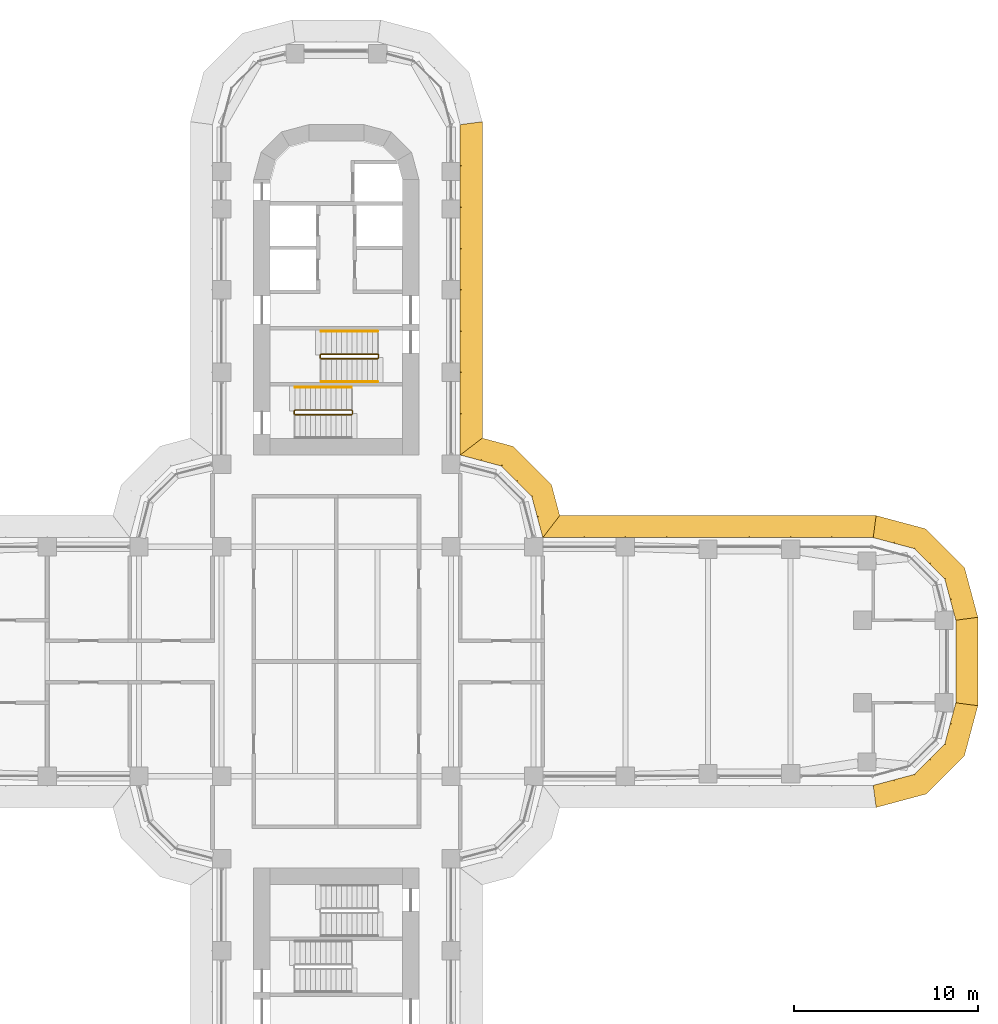
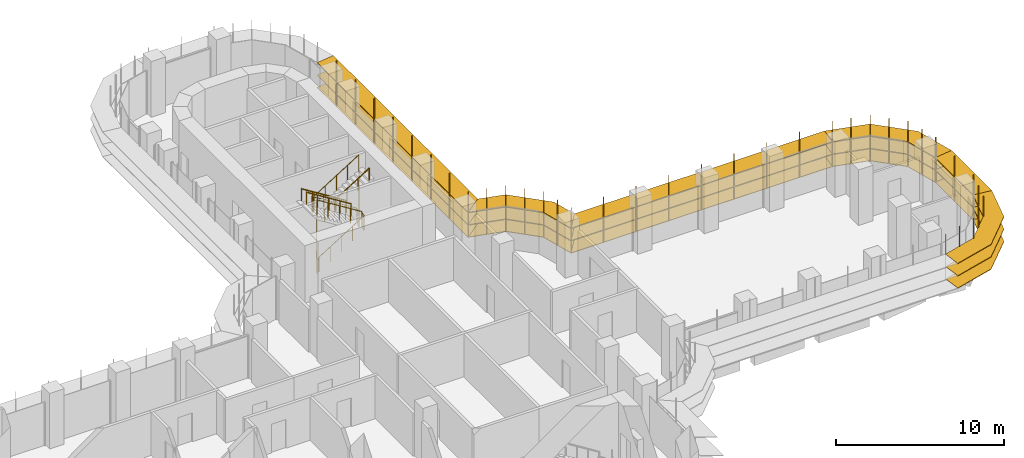
# One storey, part 22 of 23: 6 shading devices, 5 railings.
"""IFC4 building model written with IfcOpenShell, lengths in metres."""

from ifc_helpers import new_model, si_unit, direction, frame, origin, origin_2d, place, context, subcontext, project, spatial, polyline, circle, outline, extrude, faceted_brep, source, transform, mapped, material, type_object, element, save


model = new_model("IFC4")

# Units and contexts
model_context = context("Model", 3, precision=1e-05, world=origin(), true_north=direction((0.0, 1.0)))
body_context = subcontext(model_context, "Body", "Model", "MODEL_VIEW")
ifc_project = project(units=[si_unit("LENGTHUNIT", "METRE"), si_unit("AREAUNIT", "SQUARE_METRE"), si_unit("VOLUMEUNIT", "CUBIC_METRE"), si_unit("PLANEANGLEUNIT", "RADIAN"), si_unit("MASSUNIT", "GRAM", prefix="KILO")], contexts=[model_context])

# Site, building, storey
site_placement = place(None, origin())
site = spatial("IfcSite", under=ifc_project, at=site_placement, CompositionType="ELEMENT")
building_placement = place(site_placement, origin())
building = spatial("IfcBuilding", under=site, at=building_placement, Name="Zarbagh Exchange Tower", CompositionType="ELEMENT")
storey_placement = place(building_placement, frame((0.0, 0.0, 64.800048828125)))
storey = spatial("IfcBuildingStorey", under=building, at=storey_placement, Name="L14", CompositionType="ELEMENT", Elevation=64.800048828125)

# Railings
ifc_material_1 = material(Name="Stainless steel", Category="steel")
railing_type_1 = type_object("IfcRailingType", Name="Stair guard 1100 mm", PredefinedType="GUARDRAIL", material=ifc_material_1)
railing_1_placement = place(storey_placement, frame((-0.830078125, 16.5, 2.27490234375)))
element("IfcRailing", 1, at=railing_1_placement, inside=storey, type_object=railing_type_1, Name="ST1 stair guard 1", PredefinedType="GUARDRAIL", context=body_context, shape_type="SweptSolid", body=[
    extrude(circle(Radius=0.02392578125, at=origin_2d()), frame((0.0, 0.0, 1.076171875), z_axis=(0.847998304005, 0.0, 0.529998940003), x_axis=(0.0, 1.0, 0.0)), (0.0, 0.0, 1.0), 3.632080078125),
    extrude(circle(Radius=0.02392578125, at=origin_2d()), frame((3.080078125, 0.0, 3.0009765625), z_axis=(0.011914834358, 0.011914834358, -0.999858026644), x_axis=(-0.707106781187, 0.707106781187, 0.0)), (0.0, 0.0, 1.0), 4.200439453125),
    extrude(circle(Radius=0.02392578125, at=origin_2d()), frame((3.130126953125, 0.050048828125, -1.19873046875), z_axis=(0.0, 1.0, 0.0), x_axis=(-1.0, 0.0, 0.0)), (0.0, 0.0, 1.0), 0.14990234375),
    extrude(circle(Radius=0.02392578125, at=origin_2d()), frame((3.130126953125, 0.199951171875, -1.19873046875), z_axis=(-0.265065253269, 0.265065253269, 0.927081885822), x_axis=(-0.707106781187, -0.707106781187, 0.0)), (0.0, 0.0, 1.0), 0.188720703125),
    extrude(circle(Radius=0.02392578125, at=origin_2d()), frame((3.080078125, 0.25, -1.02392578125), z_axis=(-0.848028513186, 0.0, 0.529950602248), x_axis=(0.0, -1.0, 0.0)), (0.0, 0.0, 1.0), 3.632080078125),
    extrude(circle(Radius=0.02392578125, at=origin_2d()), frame((0.0, 0.25, 0.90087890625), z_axis=(-0.705375805398, -0.708833529934, 0.0), x_axis=(0.708833529934, -0.705375805398, 0.0)), (0.0, 0.0, 1.0), 0.070556640625),
    extrude(circle(Radius=0.02392578125, at=origin_2d()), frame((-0.0498046875, 0.199951171875, 0.90087890625), z_axis=(0.0, -1.0, 0.0), x_axis=(1.0, 0.0, 0.0)), (0.0, 0.0, 1.0), 0.14990234375),
    extrude(circle(Radius=0.02099609375, at=origin_2d()), origin(), (0.0, 0.0, 1.0), 1.052001953125),
    extrude(circle(Radius=0.02099609375, at=origin_2d()), frame((0.77001953125, 0.0, 0.481201171875)), (0.0, 0.0, 1.0), 1.052001953125),
    extrude(circle(Radius=0.02099609375, at=origin_2d()), frame((1.5400390625, 0.0, 0.96240234375)), (0.0, 0.0, 1.0), 1.052001953125),
    extrude(circle(Radius=0.02099609375, at=origin_2d()), frame((2.31005859375, 0.0, 1.44384765625)), (0.0, 0.0, 1.0), 1.052001953125),
    extrude(circle(Radius=0.02099609375, at=origin_2d()), frame((3.080078125, 0.0, 1.925048828125)), (0.0, 0.0, 1.0), 1.052001953125),
    extrude(circle(Radius=0.02099609375, at=origin_2d()), frame((3.092529296875, 0.012451171875, 0.875)), (0.0, 0.0, 1.0), 1.052001953125),
    extrude(circle(Radius=0.02099609375, at=origin_2d()), frame((3.10498046875, 0.02490234375, -0.1748046875)), (0.0, 0.0, 1.0), 1.052001953125),
    extrude(circle(Radius=0.02099609375, at=origin_2d()), frame((3.11767578125, 0.03759765625, -1.224853515625)), (0.0, 0.0, 1.0), 1.052001953125),
    extrude(circle(Radius=0.02099609375, at=origin_2d()), frame((3.130126953125, 0.050048828125, -2.27490234375)), (0.0, 0.0, 1.0), 1.052001953125),
    extrude(circle(Radius=0.02099609375, at=origin_2d()), frame((3.130126953125, 0.199951171875, -2.27490234375)), (0.0, 0.0, 1.0), 1.052001953125),
    extrude(circle(Radius=0.02099609375, at=origin_2d()), frame((3.080078125, 0.25, -2.099853515625)), (0.0, 0.0, 1.0), 1.052001953125),
    extrude(circle(Radius=0.02099609375, at=origin_2d()), frame((2.31005859375, 0.25, -1.61865234375)), (0.0, 0.0, 1.0), 1.052001953125),
    extrude(circle(Radius=0.02099609375, at=origin_2d()), frame((1.5400390625, 0.25, -1.137451171875)), (0.0, 0.0, 1.0), 1.052001953125),
    extrude(circle(Radius=0.02099609375, at=origin_2d()), frame((0.77001953125, 0.25, -0.65625)), (0.0, 0.0, 1.0), 1.052001953125),
    extrude(circle(Radius=0.02099609375, at=origin_2d()), frame((0.0, 0.25, -0.175048828125)), (0.0, 0.0, 1.0), 1.052001953125),
    extrude(circle(Radius=0.02099609375, at=origin_2d()), frame((-0.0498046875, 0.199951171875, -0.175048828125)), (0.0, 0.0, 1.0), 1.052001953125),
    extrude(circle(Radius=0.02099609375, at=origin_2d()), frame((-0.0498046875, 0.050048828125, -0.175048828125)), (0.0, 0.0, 1.0), 1.052001953125),
])
railing_2_placement = place(storey_placement, frame((0.8798828125, 13.5, 2.099853515625)))
element("IfcRailing", 2, at=railing_2_placement, inside=storey, type_object=railing_type_1, Name="ST2 stair guard 1", PredefinedType="GUARDRAIL", context=body_context, shape_type="SweptSolid", body=[
    extrude(circle(Radius=0.02392578125, at=origin_2d()), frame((0.0, 0.0, 1.076171875), z_axis=(0.0, 1.0, 0.0), x_axis=(-1.0, 0.0, 0.0)), (0.0, 0.0, 1.0), 0.14990234375),
    extrude(circle(Radius=0.02392578125, at=origin_2d()), frame((0.0, 0.14990234375, 1.076171875), z_axis=(-0.263862480399, 0.265155923931, 0.927399011991), x_axis=(-0.708833529934, -0.705375805398, 0.0)), (0.0, 0.0, 1.0), 0.188720703125),
    extrude(circle(Radius=0.02392578125, at=origin_2d()), frame((-0.0498046875, 0.199951171875, 1.2509765625), z_axis=(-0.847998304005, 0.0, 0.529998940003), x_axis=(0.0, -1.0, 0.0)), (0.0, 0.0, 1.0), 3.632080078125),
    extrude(circle(Radius=0.02392578125, at=origin_2d()), frame((-3.1298828125, 0.199951171875, 3.17626953125), z_axis=(-0.011914834358, -0.011914834358, -0.999858026644), x_axis=(0.707106781187, -0.707106781187, 0.0)), (0.0, 0.0, 1.0), 4.200439453125),
    extrude(circle(Radius=0.02392578125, at=origin_2d()), frame((-3.179931640625, 0.14990234375, -1.02392578125), z_axis=(0.0, -1.0, 0.0), x_axis=(1.0, 0.0, 0.0)), (0.0, 0.0, 1.0), 0.14990234375),
    extrude(circle(Radius=0.02392578125, at=origin_2d()), frame((-3.179931640625, 0.0, -1.02392578125), z_axis=(0.265065253269, -0.265065253269, 0.927081885822), x_axis=(0.707106781187, 0.707106781187, 0.0)), (0.0, 0.0, 1.0), 0.188720703125),
    extrude(circle(Radius=0.02392578125, at=origin_2d()), frame((-3.1298828125, -0.050048828125, -0.8486328125), z_axis=(0.848028513186, 0.0, 0.529950602248), x_axis=(0.0, 1.0, 0.0)), (0.0, 0.0, 1.0), 3.632080078125),
    extrude(circle(Radius=0.02099609375, at=origin_2d()), origin(), (0.0, 0.0, 1.0), 1.052001953125),
    extrude(circle(Radius=0.02099609375, at=origin_2d()), frame((0.0, 0.14990234375, 0.0)), (0.0, 0.0, 1.0), 1.052001953125),
    extrude(circle(Radius=0.02099609375, at=origin_2d()), frame((-0.0498046875, 0.199951171875, 0.175048828125)), (0.0, 0.0, 1.0), 1.052001953125),
    extrude(circle(Radius=0.02099609375, at=origin_2d()), frame((-0.81982421875, 0.199951171875, 0.65625)), (0.0, 0.0, 1.0), 1.052001953125),
    extrude(circle(Radius=0.02099609375, at=origin_2d()), frame((-1.58984375, 0.199951171875, 1.1376953125)), (0.0, 0.0, 1.0), 1.052001953125),
    extrude(circle(Radius=0.02099609375, at=origin_2d()), frame((-2.35986328125, 0.199951171875, 1.618896484375)), (0.0, 0.0, 1.0), 1.052001953125),
    extrude(circle(Radius=0.02099609375, at=origin_2d()), frame((-3.1298828125, 0.199951171875, 2.10009765625)), (0.0, 0.0, 1.0), 1.052001953125),
    extrude(circle(Radius=0.02099609375, at=origin_2d()), frame((-3.142333984375, 0.1875, 1.050048828125)), (0.0, 0.0, 1.0), 1.052001953125),
    extrude(circle(Radius=0.02099609375, at=origin_2d()), frame((-3.15478515625, 0.1748046875, 0.0)), (0.0, 0.0, 1.0), 1.052001953125),
    extrude(circle(Radius=0.02099609375, at=origin_2d()), frame((-3.16748046875, 0.162353515625, -1.0498046875)), (0.0, 0.0, 1.0), 1.052001953125),
    extrude(circle(Radius=0.02099609375, at=origin_2d()), frame((-3.179931640625, 0.14990234375, -2.099853515625)), (0.0, 0.0, 1.0), 1.052001953125),
    extrude(circle(Radius=0.02099609375, at=origin_2d()), frame((-3.179931640625, 0.0, -2.099853515625)), (0.0, 0.0, 1.0), 1.052001953125),
    extrude(circle(Radius=0.02099609375, at=origin_2d()), frame((-3.1298828125, -0.050048828125, -1.9248046875)), (0.0, 0.0, 1.0), 1.052001953125),
    extrude(circle(Radius=0.02099609375, at=origin_2d()), frame((-2.35986328125, -0.050048828125, -1.443603515625)), (0.0, 0.0, 1.0), 1.052001953125),
    extrude(circle(Radius=0.02099609375, at=origin_2d()), frame((-1.58984375, -0.050048828125, -0.96240234375)), (0.0, 0.0, 1.0), 1.052001953125),
    extrude(circle(Radius=0.02099609375, at=origin_2d()), frame((-0.81982421875, -0.050048828125, -0.481201171875)), (0.0, 0.0, 1.0), 1.052001953125),
    extrude(circle(Radius=0.02099609375, at=origin_2d()), frame((-0.0498046875, -0.050048828125, 0.0)), (0.0, 0.0, 1.0), 1.052001953125),
])
railing_type_2 = type_object("IfcRailingType", Name="Stair handrail 900 mm", PredefinedType="HANDRAIL", material=ifc_material_1)
railing_3_placement = place(storey_placement, frame((2.25, 18.0, 0.175048828125)))
element("IfcRailing", 3, at=railing_3_placement, inside=storey, type_object=railing_type_2, Name="ST1 stair handrail 1", PredefinedType="HANDRAIL", context=body_context, shape_type="SweptSolid", body=[
    extrude(circle(Radius=0.02392578125, at=origin_2d()), frame((0.0, 0.0, 0.8759765625), z_axis=(-0.848028513186, 0.0, 0.529950602248), x_axis=(0.0, -1.0, 0.0)), (0.0, 0.0, 1.0), 3.632080078125),
    extrude(circle(Radius=0.02099609375, at=origin_2d()), origin(), (0.0, 0.0, 1.0), 0.851806640625),
    extrude(circle(Radius=0.02099609375, at=origin_2d()), frame((-0.77001953125, 0.0, 0.481201171875)), (0.0, 0.0, 1.0), 0.851806640625),
    extrude(circle(Radius=0.02099609375, at=origin_2d()), frame((-1.5400390625, 0.0, 0.96240234375)), (0.0, 0.0, 1.0), 0.851806640625),
    extrude(circle(Radius=0.02099609375, at=origin_2d()), frame((-2.31005859375, 0.0, 1.443603515625)), (0.0, 0.0, 1.0), 0.851806640625),
    extrude(circle(Radius=0.02099609375, at=origin_2d()), frame((-3.080078125, 0.0, 1.9248046875)), (0.0, 0.0, 1.0), 0.851806640625),
])
railing_4_placement = place(storey_placement, frame((-0.830078125, 15.25, 2.27490234375)))
element("IfcRailing", 4, at=railing_4_placement, inside=storey, type_object=railing_type_2, Name="ST1 stair handrail 2", PredefinedType="HANDRAIL", context=body_context, shape_type="SweptSolid", body=[
    extrude(circle(Radius=0.02392578125, at=origin_2d()), frame((0.0, 0.0, 0.8759765625), z_axis=(0.847998304005, 0.0, 0.529998940003), x_axis=(0.0, 1.0, 0.0)), (0.0, 0.0, 1.0), 3.632080078125),
    extrude(circle(Radius=0.02099609375, at=origin_2d()), origin(), (0.0, 0.0, 1.0), 0.851806640625),
    extrude(circle(Radius=0.02099609375, at=origin_2d()), frame((0.77001953125, 0.0, 0.481201171875)), (0.0, 0.0, 1.0), 0.851806640625),
    extrude(circle(Radius=0.02099609375, at=origin_2d()), frame((1.5400390625, 0.0, 0.96240234375)), (0.0, 0.0, 1.0), 0.851806640625),
    extrude(circle(Radius=0.02099609375, at=origin_2d()), frame((2.31005859375, 0.0, 1.44384765625)), (0.0, 0.0, 1.0), 0.851806640625),
    extrude(circle(Radius=0.02099609375, at=origin_2d()), frame((3.080078125, 0.0, 1.925048828125)), (0.0, 0.0, 1.0), 0.851806640625),
])
railing_5_placement = place(storey_placement, frame((0.830078125, 14.949951171875, 2.27490234375)))
element("IfcRailing", 5, at=railing_5_placement, inside=storey, type_object=railing_type_2, Name="ST2 stair handrail 2", PredefinedType="HANDRAIL", context=body_context, shape_type="SweptSolid", body=[
    extrude(circle(Radius=0.02392578125, at=origin_2d()), frame((0.0, 0.0, 0.8759765625), z_axis=(-0.847998304005, 0.0, 0.529998940003), x_axis=(0.0, -1.0, 0.0)), (0.0, 0.0, 1.0), 3.632080078125),
    extrude(circle(Radius=0.02099609375, at=origin_2d()), origin(), (0.0, 0.0, 1.0), 0.851806640625),
    extrude(circle(Radius=0.02099609375, at=origin_2d()), frame((-0.77001953125, 0.0, 0.481201171875)), (0.0, 0.0, 1.0), 0.851806640625),
    extrude(circle(Radius=0.02099609375, at=origin_2d()), frame((-1.5400390625, 0.0, 0.96240234375)), (0.0, 0.0, 1.0), 0.851806640625),
    extrude(circle(Radius=0.02099609375, at=origin_2d()), frame((-2.31005859375, 0.0, 1.44384765625)), (0.0, 0.0, 1.0), 0.851806640625),
    extrude(circle(Radius=0.02099609375, at=origin_2d()), frame((-3.080078125, 0.0, 1.925048828125)), (0.0, 0.0, 1.0), 0.851806640625),
])

# Shading devices
ifc_material_2 = material(Name="Anodised aluminium blades and brackets", Category="aluminium")
shading_device_type = type_object("IfcShadingDeviceType", Name="SUNSHADE louvre band, 0 degree blades", PredefinedType="JALOUSIE", material=ifc_material_2)
shared_shape_1 = source(origin(), body_context, "Body", "Brep", [
    faceted_brep([(0.0, 0.0, 0.0), (0.0, 0.0, -0.0400390625), (-0.157958984375, -1.199951171875, -0.0400390625), (-0.157958984375, -1.199951171875, 0.0), (2.65087890625, -1.199951171875, 0.0), (2.65087890625, -1.199951171875, -0.0400390625), (2.329345703125, 0.0, -0.0400390625), (2.329345703125, 0.0, 0.0)], [[[0, 1, 2, 3]], [[4, 5, 6, 7]], [[0, 7, 6, 1]], [[1, 6, 5, 2]], [[2, 5, 4, 3]], [[3, 4, 7, 0]]]),
])
shared_shape_2 = source(origin(), body_context, "Body", "Brep", [
    faceted_brep([(0.0, 0.0, 0.0), (0.0, 0.0, -0.0400390625), (-0.321533203125, -1.199951171875, -0.0400390625), (-0.321533203125, -1.199951171875, 0.0), (2.65087890625, -1.199951171875, 0.0), (2.65087890625, -1.199951171875, -0.0400390625), (2.329345703125, 0.0, -0.0400390625), (2.329345703125, 0.0, 0.0)], [[[0, 1, 2, 3]], [[4, 5, 6, 7]], [[0, 7, 6, 1]], [[1, 6, 5, 2]], [[2, 5, 4, 3]], [[3, 4, 7, 0]]]),
])
shared_shape_3 = source(origin(), body_context, "Body", "Brep", [
    faceted_brep([(0.0, 0.0, 0.0), (0.0, 0.0, -0.0400390625), (-0.321533203125, -1.199951171875, -0.0400390625), (-0.321533203125, -1.199951171875, 0.0), (2.4873046875, -1.199951171875, 0.0), (2.4873046875, -1.199951171875, -0.0400390625), (2.329345703125, 0.0, -0.0400390625), (2.329345703125, 0.0, 0.0)], [[[0, 1, 2, 3]], [[4, 5, 6, 7]], [[0, 7, 6, 1]], [[1, 6, 5, 2]], [[2, 5, 4, 3]], [[3, 4, 7, 0]]]),
])
shared_shape_4 = source(origin(), body_context, "Body", "SweptSolid", [
    extrude(outline(polyline([(0.0, -0.012451171875), (0.06005859375, -0.012451171875), (0.06005859375, 0.012451171875), (0.0, 0.012451171875), (0.0, -0.012451171875)])), origin(), (0.0, 0.0, 1.0), 3.35009765625),
])
placement = place(storey_placement, origin())
element("IfcShadingDevice", 6, at=placement, inside=storey, type_object=shading_device_type, Name="SS05 sunshade band", PredefinedType="JALOUSIE", context=body_context, shape_type="MappedRepresentation", body=[
    mapped(shared_shape_1, transform((29.25, -6.75, 2.699951171875), x_axis=(0.965924289636, 0.258824779902, 0.0), y_axis=(-0.258824779902, 0.965924289636, 0.0), z_axis=(0.0, 0.0, 1.0))),
    mapped(shared_shape_1, transform((29.25, -6.75, 1.800048828125), x_axis=(0.965924289636, 0.258824779902, 0.0), y_axis=(-0.258824779902, 0.965924289636, 0.0), z_axis=(0.0, 0.0, 1.0))),
    mapped(shared_shape_1, transform((29.25, -6.75, 0.89990234375), x_axis=(0.965924289636, 0.258824779902, 0.0), y_axis=(-0.258824779902, 0.965924289636, 0.0), z_axis=(0.0, 0.0, 1.0))),
    mapped(shared_shape_2, transform((31.5, -6.147216796875, 2.699951171875), x_axis=(0.707106781187, 0.707106781187, 0.0), y_axis=(-0.707106781187, 0.707106781187, 0.0), z_axis=(0.0, 0.0, 1.0))),
    mapped(shared_shape_2, transform((31.5, -6.147216796875, 1.800048828125), x_axis=(0.707106781187, 0.707106781187, 0.0), y_axis=(-0.707106781187, 0.707106781187, 0.0), z_axis=(0.0, 0.0, 1.0))),
    mapped(shared_shape_2, transform((31.5, -6.147216796875, 0.89990234375), x_axis=(0.707106781187, 0.707106781187, 0.0), y_axis=(-0.707106781187, 0.707106781187, 0.0), z_axis=(0.0, 0.0, 1.0))),
    mapped(shared_shape_3, transform((33.147216796875, -4.5, 2.699951171875), x_axis=(0.258824779902, 0.965924289636, 0.0), y_axis=(-0.965924289636, 0.258824779902, 0.0), z_axis=(0.0, 0.0, 1.0))),
    mapped(shared_shape_3, transform((33.147216796875, -4.5, 1.800048828125), x_axis=(0.258824779902, 0.965924289636, 0.0), y_axis=(-0.965924289636, 0.258824779902, 0.0), z_axis=(0.0, 0.0, 1.0))),
    mapped(shared_shape_3, transform((33.147216796875, -4.5, 0.89990234375), x_axis=(0.258824779902, 0.965924289636, 0.0), y_axis=(-0.965924289636, 0.258824779902, 0.0), z_axis=(0.0, 0.0, 1.0))),
    mapped(shared_shape_4, transform((29.25, -6.75, 0.829833984375), x_axis=(0.130529263012, -0.991444457092, 0.0), y_axis=(0.991444457092, 0.130529263012, 0.0), z_axis=(0.0, 0.0, 1.0))),
    mapped(shared_shape_4, transform((30.375, -6.448486328125, 0.829833984375), x_axis=(0.258825058029, -0.96592421511, 0.0), y_axis=(0.96592421511, 0.258825058029, 0.0), z_axis=(0.0, 0.0, 1.0))),
    mapped(shared_shape_4, transform((31.5, -6.147216796875, 0.829833984375), x_axis=(0.50000275701, -0.866023812018, 0.0), y_axis=(0.866023812018, 0.50000275701, 0.0), z_axis=(0.0, 0.0, 1.0))),
    mapped(shared_shape_4, transform((32.323486328125, -5.323486328125, 0.829833984375), x_axis=(0.707106781187, -0.707106781187, 0.0), y_axis=(0.707106781187, 0.707106781187, 0.0), z_axis=(0.0, 0.0, 1.0))),
    mapped(shared_shape_4, transform((33.147216796875, -4.5, 0.829833984375), x_axis=(0.866023812018, -0.50000275701, 0.0), y_axis=(0.50000275701, 0.866023812018, 0.0), z_axis=(0.0, 0.0, 1.0))),
    mapped(shared_shape_4, transform((33.448486328125, -3.375, 0.829833984375), x_axis=(0.96592421511, -0.258825058029, 0.0), y_axis=(0.258825058029, 0.96592421511, 0.0), z_axis=(0.0, 0.0, 1.0))),
])
element("IfcShadingDevice", 7, at=placement, inside=storey, type_object=shading_device_type, Name="SS07 sunshade band", PredefinedType="JALOUSIE", context=body_context, shape_type="MappedRepresentation", body=[
    mapped(shared_shape_1, transform((33.75, 2.25, 2.699951171875), x_axis=(-0.258824779902, 0.965924289636, 0.0), y_axis=(-0.965924289636, -0.258824779902, 0.0), z_axis=(0.0, 0.0, 1.0))),
    mapped(shared_shape_1, transform((33.75, 2.25, 1.800048828125), x_axis=(-0.258824779902, 0.965924289636, 0.0), y_axis=(-0.965924289636, -0.258824779902, 0.0), z_axis=(0.0, 0.0, 1.0))),
    mapped(shared_shape_1, transform((33.75, 2.25, 0.89990234375), x_axis=(-0.258824779902, 0.965924289636, 0.0), y_axis=(-0.965924289636, -0.258824779902, 0.0), z_axis=(0.0, 0.0, 1.0))),
    mapped(shared_shape_2, transform((33.147216796875, 4.5, 2.699951171875), x_axis=(-0.707106781187, 0.707106781187, 0.0), y_axis=(-0.707106781187, -0.707106781187, 0.0), z_axis=(0.0, 0.0, 1.0))),
    mapped(shared_shape_2, transform((33.147216796875, 4.5, 1.800048828125), x_axis=(-0.707106781187, 0.707106781187, 0.0), y_axis=(-0.707106781187, -0.707106781187, 0.0), z_axis=(0.0, 0.0, 1.0))),
    mapped(shared_shape_2, transform((33.147216796875, 4.5, 0.89990234375), x_axis=(-0.707106781187, 0.707106781187, 0.0), y_axis=(-0.707106781187, -0.707106781187, 0.0), z_axis=(0.0, 0.0, 1.0))),
    mapped(shared_shape_3, transform((31.5, 6.147216796875, 2.699951171875), x_axis=(-0.965924289636, 0.258824779902, 0.0), y_axis=(-0.258824779902, -0.965924289636, 0.0), z_axis=(0.0, 0.0, 1.0))),
    mapped(shared_shape_3, transform((31.5, 6.147216796875, 1.800048828125), x_axis=(-0.965924289636, 0.258824779902, 0.0), y_axis=(-0.258824779902, -0.965924289636, 0.0), z_axis=(0.0, 0.0, 1.0))),
    mapped(shared_shape_3, transform((31.5, 6.147216796875, 0.89990234375), x_axis=(-0.965924289636, 0.258824779902, 0.0), y_axis=(-0.258824779902, -0.965924289636, 0.0), z_axis=(0.0, 0.0, 1.0))),
    mapped(shared_shape_4, transform((33.75, 2.25, 0.829833984375), x_axis=(0.991444457092, 0.130529263012, 0.0), y_axis=(-0.130529263012, 0.991444457092, 0.0), z_axis=(0.0, 0.0, 1.0))),
    mapped(shared_shape_4, transform((33.448486328125, 3.375, 0.829833984375), x_axis=(0.96592421511, 0.258825058029, 0.0), y_axis=(-0.258825058029, 0.96592421511, 0.0), z_axis=(0.0, 0.0, 1.0))),
    mapped(shared_shape_4, transform((33.147216796875, 4.5, 0.829833984375), x_axis=(0.866023812018, 0.50000275701, 0.0), y_axis=(-0.50000275701, 0.866023812018, 0.0), z_axis=(0.0, 0.0, 1.0))),
    mapped(shared_shape_4, transform((32.323486328125, 5.323486328125, 0.829833984375), x_axis=(0.707106781187, 0.707106781187, 0.0), y_axis=(-0.707106781187, 0.707106781187, 0.0), z_axis=(0.0, 0.0, 1.0))),
    mapped(shared_shape_4, transform((31.5, 6.147216796875, 0.829833984375), x_axis=(0.50000275701, 0.866023812018, 0.0), y_axis=(-0.866023812018, 0.50000275701, 0.0), z_axis=(0.0, 0.0, 1.0))),
    mapped(shared_shape_4, transform((30.375, 6.448486328125, 0.829833984375), x_axis=(0.258825058029, 0.96592421511, 0.0), y_axis=(-0.96592421511, 0.258825058029, 0.0), z_axis=(0.0, 0.0, 1.0))),
])
shared_shape_5 = source(origin(), body_context, "Body", "Brep", [
    faceted_brep([(0.0, 0.0, 0.0), (0.0, 0.0, -0.0400390625), (0.9208984375, -1.199951171875, -0.0400390625), (0.9208984375, -1.199951171875, 0.0), (2.65087890625, -1.199951171875, 0.0), (2.65087890625, -1.199951171875, -0.0400390625), (2.329345703125, 0.0, -0.0400390625), (2.329345703125, 0.0, 0.0)], [[[0, 1, 2, 3]], [[4, 5, 6, 7]], [[0, 7, 6, 1]], [[1, 6, 5, 2]], [[2, 5, 4, 3]], [[3, 4, 7, 0]]]),
])
shared_shape_6 = source(origin(), body_context, "Body", "Brep", [
    faceted_brep([(0.0, 0.0, 0.0), (0.0, 0.0, -0.0400390625), (-0.321533203125, -1.199951171875, -0.0400390625), (-0.321533203125, -1.199951171875, 0.0), (1.40869140625, -1.199951171875, 0.0), (1.40869140625, -1.199951171875, -0.0400390625), (2.329345703125, 0.0, -0.0400390625), (2.329345703125, 0.0, 0.0)], [[[0, 1, 2, 3]], [[4, 5, 6, 7]], [[0, 7, 6, 1]], [[1, 6, 5, 2]], [[2, 5, 4, 3]], [[3, 4, 7, 0]]]),
])
element("IfcShadingDevice", 8, at=placement, inside=storey, type_object=shading_device_type, Name="SS09 sunshade band", PredefinedType="JALOUSIE", context=body_context, shape_type="MappedRepresentation", body=[
    mapped(shared_shape_5, transform((11.25, 6.75, 2.699951171875), x_axis=(-0.258824779902, 0.965924289636, 0.0), y_axis=(-0.965924289636, -0.258824779902, 0.0), z_axis=(0.0, 0.0, 1.0))),
    mapped(shared_shape_5, transform((11.25, 6.75, 1.800048828125), x_axis=(-0.258824779902, 0.965924289636, 0.0), y_axis=(-0.965924289636, -0.258824779902, 0.0), z_axis=(0.0, 0.0, 1.0))),
    mapped(shared_shape_5, transform((11.25, 6.75, 0.89990234375), x_axis=(-0.258824779902, 0.965924289636, 0.0), y_axis=(-0.965924289636, -0.258824779902, 0.0), z_axis=(0.0, 0.0, 1.0))),
    mapped(shared_shape_2, transform((10.647216796875, 9.0, 2.699951171875), x_axis=(-0.707106781187, 0.707106781187, 0.0), y_axis=(-0.707106781187, -0.707106781187, 0.0), z_axis=(0.0, 0.0, 1.0))),
    mapped(shared_shape_2, transform((10.647216796875, 9.0, 1.800048828125), x_axis=(-0.707106781187, 0.707106781187, 0.0), y_axis=(-0.707106781187, -0.707106781187, 0.0), z_axis=(0.0, 0.0, 1.0))),
    mapped(shared_shape_2, transform((10.647216796875, 9.0, 0.89990234375), x_axis=(-0.707106781187, 0.707106781187, 0.0), y_axis=(-0.707106781187, -0.707106781187, 0.0), z_axis=(0.0, 0.0, 1.0))),
    mapped(shared_shape_6, transform((9.0, 10.647216796875, 2.699951171875), x_axis=(-0.965924289636, 0.258824779902, 0.0), y_axis=(-0.258824779902, -0.965924289636, 0.0), z_axis=(0.0, 0.0, 1.0))),
    mapped(shared_shape_6, transform((9.0, 10.647216796875, 1.800048828125), x_axis=(-0.965924289636, 0.258824779902, 0.0), y_axis=(-0.258824779902, -0.965924289636, 0.0), z_axis=(0.0, 0.0, 1.0))),
    mapped(shared_shape_6, transform((9.0, 10.647216796875, 0.89990234375), x_axis=(-0.965924289636, 0.258824779902, 0.0), y_axis=(-0.258824779902, -0.965924289636, 0.0), z_axis=(0.0, 0.0, 1.0))),
    mapped(shared_shape_4, transform((11.25, 6.75, 0.829833984375), x_axis=(0.608758892, 0.793355287, 0.0), y_axis=(-0.793355287, 0.608758892, 0.0), z_axis=(0.0, 0.0, 1.0))),
    mapped(shared_shape_4, transform((10.948486328125, 7.875, 0.829833984375), x_axis=(0.96592421511, 0.258825058029, 0.0), y_axis=(-0.258825058029, 0.96592421511, 0.0), z_axis=(0.0, 0.0, 1.0))),
    mapped(shared_shape_4, transform((10.647216796875, 9.0, 0.829833984375), x_axis=(0.866023812018, 0.50000275701, 0.0), y_axis=(-0.50000275701, 0.866023812018, 0.0), z_axis=(0.0, 0.0, 1.0))),
    mapped(shared_shape_4, transform((9.823486328125, 9.823486328125, 0.829833984375), x_axis=(0.707106781187, 0.707106781187, 0.0), y_axis=(-0.707106781187, 0.707106781187, 0.0), z_axis=(0.0, 0.0, 1.0))),
    mapped(shared_shape_4, transform((9.0, 10.647216796875, 0.829833984375), x_axis=(0.50000275701, 0.866023812018, 0.0), y_axis=(-0.866023812018, 0.50000275701, 0.0), z_axis=(0.0, 0.0, 1.0))),
    mapped(shared_shape_4, transform((7.875, 10.948486328125, 0.829833984375), x_axis=(0.258825058029, 0.96592421511, 0.0), y_axis=(-0.96592421511, 0.258825058029, 0.0), z_axis=(0.0, 0.0, 1.0))),
])
shared_shape_7 = source(origin(), body_context, "Body", "Brep", [
    faceted_brep([(0.0, 0.0, 0.0), (0.0, 0.0, -0.0400390625), (-0.157958984375, -1.199951171875, -0.0400390625), (-0.157958984375, -1.199951171875, 0.0), (4.657958984375, -1.199951171875, 0.0), (4.657958984375, -1.199951171875, -0.0400390625), (4.5, 0.0, -0.0400390625), (4.5, 0.0, 0.0)], [[[0, 1, 2, 3]], [[4, 5, 6, 7]], [[0, 7, 6, 1]], [[1, 6, 5, 2]], [[2, 5, 4, 3]], [[3, 4, 7, 0]]]),
])
element("IfcShadingDevice", 9, at=placement, inside=storey, type_object=shading_device_type, Name="SS06 sunshade band", PredefinedType="JALOUSIE", context=body_context, shape_type="MappedRepresentation", body=[
    mapped(shared_shape_7, transform((33.75, -2.25, 2.699951171875), x_axis=(0.0, 1.0, 0.0), y_axis=(-1.0, 0.0, 0.0), z_axis=(0.0, 0.0, 1.0))),
    mapped(shared_shape_7, transform((33.75, -2.25, 1.800048828125), x_axis=(0.0, 1.0, 0.0), y_axis=(-1.0, 0.0, 0.0), z_axis=(0.0, 0.0, 1.0))),
    mapped(shared_shape_7, transform((33.75, -2.25, 0.89990234375), x_axis=(0.0, 1.0, 0.0), y_axis=(-1.0, 0.0, 0.0), z_axis=(0.0, 0.0, 1.0))),
    mapped(shared_shape_4, transform((33.75, -2.25, 0.829833984375), x_axis=(0.991444457092, -0.130529263012, 0.0), y_axis=(0.130529263012, 0.991444457092, 0.0), z_axis=(0.0, 0.0, 1.0))),
    mapped(shared_shape_4, transform((33.75, 0.0, 0.829833984375), x_axis=(1.0, 0.0, 0.0), y_axis=(0.0, 1.0, 0.0), z_axis=(0.0, 0.0, 1.0))),
])
shared_shape_8 = source(origin(), body_context, "Body", "Brep", [
    faceted_brep([(0.0, 0.0, 0.0), (0.0, 0.0, -0.0400390625), (-0.157958984375, -1.199951171875, -0.0400390625), (-0.157958984375, -1.199951171875, 0.0), (17.0791015625, -1.199951171875, 0.0), (17.0791015625, -1.199951171875, -0.0400390625), (18.0, 0.0, -0.0400390625), (18.0, 0.0, 0.0)], [[[0, 1, 2, 3]], [[4, 5, 6, 7]], [[0, 7, 6, 1]], [[1, 6, 5, 2]], [[2, 5, 4, 3]], [[3, 4, 7, 0]]]),
])
element("IfcShadingDevice", 10, at=placement, inside=storey, type_object=shading_device_type, Name="SS08 sunshade band", PredefinedType="JALOUSIE", context=body_context, shape_type="MappedRepresentation", body=[
    mapped(shared_shape_8, transform((29.25, 6.75, 2.699951171875), x_axis=(-1.0, 0.0, 0.0), y_axis=(0.0, -1.0, 0.0), z_axis=(0.0, 0.0, 1.0))),
    mapped(shared_shape_8, transform((29.25, 6.75, 1.800048828125), x_axis=(-1.0, 0.0, 0.0), y_axis=(0.0, -1.0, 0.0), z_axis=(0.0, 0.0, 1.0))),
    mapped(shared_shape_8, transform((29.25, 6.75, 0.89990234375), x_axis=(-1.0, 0.0, 0.0), y_axis=(0.0, -1.0, 0.0), z_axis=(0.0, 0.0, 1.0))),
    mapped(shared_shape_4, transform((29.25, 6.75, 0.829833984375), x_axis=(0.130529263012, 0.991444457092, 0.0), y_axis=(-0.991444457092, 0.130529263012, 0.0), z_axis=(0.0, 0.0, 1.0))),
    mapped(shared_shape_4, transform((27.0, 6.75, 0.829833984375), x_axis=(0.0, 1.0, 0.0), y_axis=(-1.0, 0.0, 0.0), z_axis=(0.0, 0.0, 1.0))),
    mapped(shared_shape_4, transform((24.75, 6.75, 0.829833984375), x_axis=(0.0, 1.0, 0.0), y_axis=(-1.0, 0.0, 0.0), z_axis=(0.0, 0.0, 1.0))),
    mapped(shared_shape_4, transform((22.5, 6.75, 0.829833984375), x_axis=(0.0, 1.0, 0.0), y_axis=(-1.0, 0.0, 0.0), z_axis=(0.0, 0.0, 1.0))),
    mapped(shared_shape_4, transform((20.25, 6.75, 0.829833984375), x_axis=(0.0, 1.0, 0.0), y_axis=(-1.0, 0.0, 0.0), z_axis=(0.0, 0.0, 1.0))),
    mapped(shared_shape_4, transform((18.0, 6.75, 0.829833984375), x_axis=(0.0, 1.0, 0.0), y_axis=(-1.0, 0.0, 0.0), z_axis=(0.0, 0.0, 1.0))),
    mapped(shared_shape_4, transform((15.75, 6.75, 0.829833984375), x_axis=(0.0, 1.0, 0.0), y_axis=(-1.0, 0.0, 0.0), z_axis=(0.0, 0.0, 1.0))),
    mapped(shared_shape_4, transform((13.5, 6.75, 0.829833984375), x_axis=(0.0, 1.0, 0.0), y_axis=(-1.0, 0.0, 0.0), z_axis=(0.0, 0.0, 1.0))),
])
shared_shape_9 = source(origin(), body_context, "Body", "Brep", [
    faceted_brep([(0.0, 0.0, 0.0), (0.0, 0.0, -0.0400390625), (0.9208984375, -1.199951171875, -0.0400390625), (0.9208984375, -1.199951171875, 0.0), (18.157958984375, -1.199951171875, 0.0), (18.157958984375, -1.199951171875, -0.0400390625), (18.0, 0.0, -0.0400390625), (18.0, 0.0, 0.0)], [[[0, 1, 2, 3]], [[4, 5, 6, 7]], [[0, 7, 6, 1]], [[1, 6, 5, 2]], [[2, 5, 4, 3]], [[3, 4, 7, 0]]]),
])
element("IfcShadingDevice", 11, at=placement, inside=storey, type_object=shading_device_type, Name="SS10 sunshade band", PredefinedType="JALOUSIE", context=body_context, shape_type="MappedRepresentation", body=[
    mapped(shared_shape_9, transform((6.75, 11.25, 2.699951171875), x_axis=(0.0, 1.0, 0.0), y_axis=(-1.0, 0.0, 0.0), z_axis=(0.0, 0.0, 1.0))),
    mapped(shared_shape_9, transform((6.75, 11.25, 1.800048828125), x_axis=(0.0, 1.0, 0.0), y_axis=(-1.0, 0.0, 0.0), z_axis=(0.0, 0.0, 1.0))),
    mapped(shared_shape_9, transform((6.75, 11.25, 0.89990234375), x_axis=(0.0, 1.0, 0.0), y_axis=(-1.0, 0.0, 0.0), z_axis=(0.0, 0.0, 1.0))),
    mapped(shared_shape_4, transform((6.75, 11.25, 0.829833984375), x_axis=(0.793355287, 0.608758892, 0.0), y_axis=(-0.608758892, 0.793355287, 0.0), z_axis=(0.0, 0.0, 1.0))),
    mapped(shared_shape_4, transform((6.75, 13.5, 0.829833984375), x_axis=(1.0, 0.0, 0.0), y_axis=(0.0, 1.0, 0.0), z_axis=(0.0, 0.0, 1.0))),
    mapped(shared_shape_4, transform((6.75, 15.75, 0.829833984375), x_axis=(1.0, 0.0, 0.0), y_axis=(0.0, 1.0, 0.0), z_axis=(0.0, 0.0, 1.0))),
    mapped(shared_shape_4, transform((6.75, 18.0, 0.829833984375), x_axis=(1.0, 0.0, 0.0), y_axis=(0.0, 1.0, 0.0), z_axis=(0.0, 0.0, 1.0))),
    mapped(shared_shape_4, transform((6.75, 20.25, 0.829833984375), x_axis=(1.0, 0.0, 0.0), y_axis=(0.0, 1.0, 0.0), z_axis=(0.0, 0.0, 1.0))),
    mapped(shared_shape_4, transform((6.75, 22.5, 0.829833984375), x_axis=(1.0, 0.0, 0.0), y_axis=(0.0, 1.0, 0.0), z_axis=(0.0, 0.0, 1.0))),
    mapped(shared_shape_4, transform((6.75, 24.75, 0.829833984375), x_axis=(1.0, 0.0, 0.0), y_axis=(0.0, 1.0, 0.0), z_axis=(0.0, 0.0, 1.0))),
    mapped(shared_shape_4, transform((6.75, 27.0, 0.829833984375), x_axis=(1.0, 0.0, 0.0), y_axis=(0.0, 1.0, 0.0), z_axis=(0.0, 0.0, 1.0))),
])

save(model, "model.ifc")
